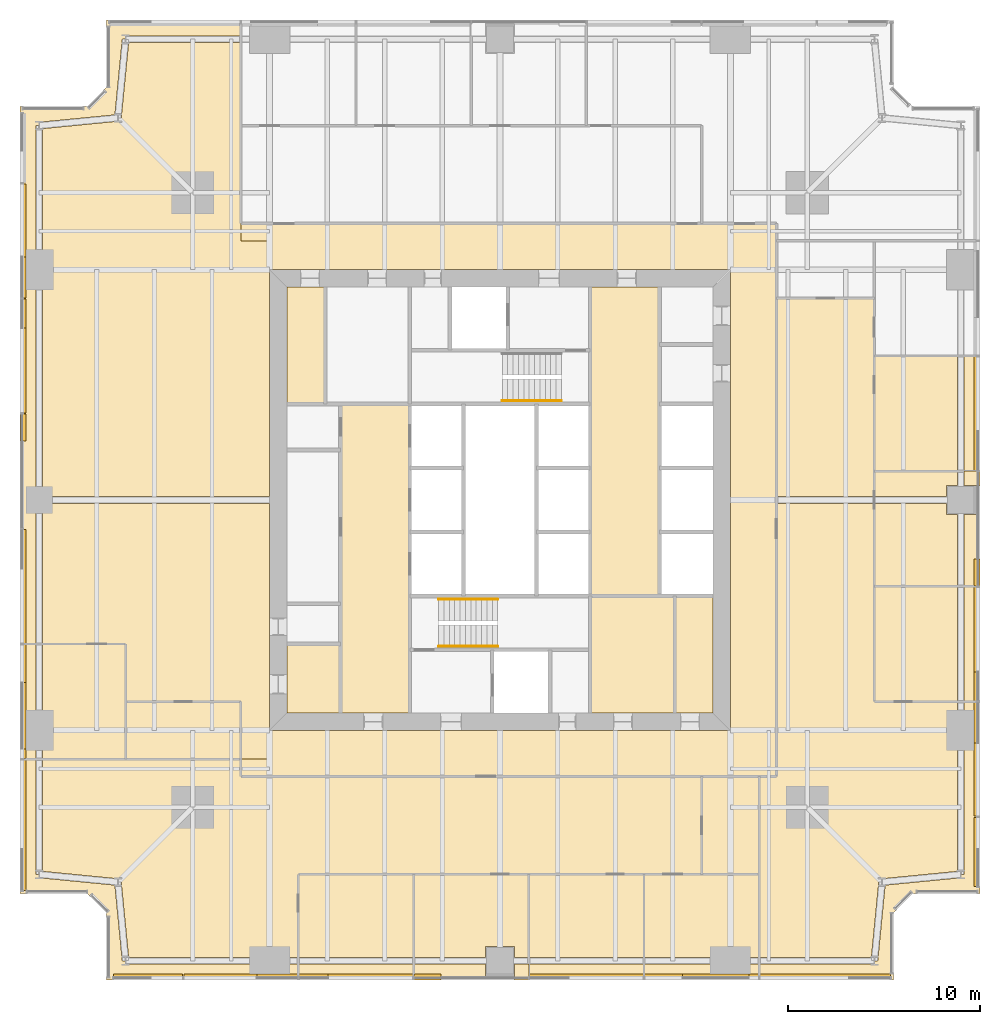
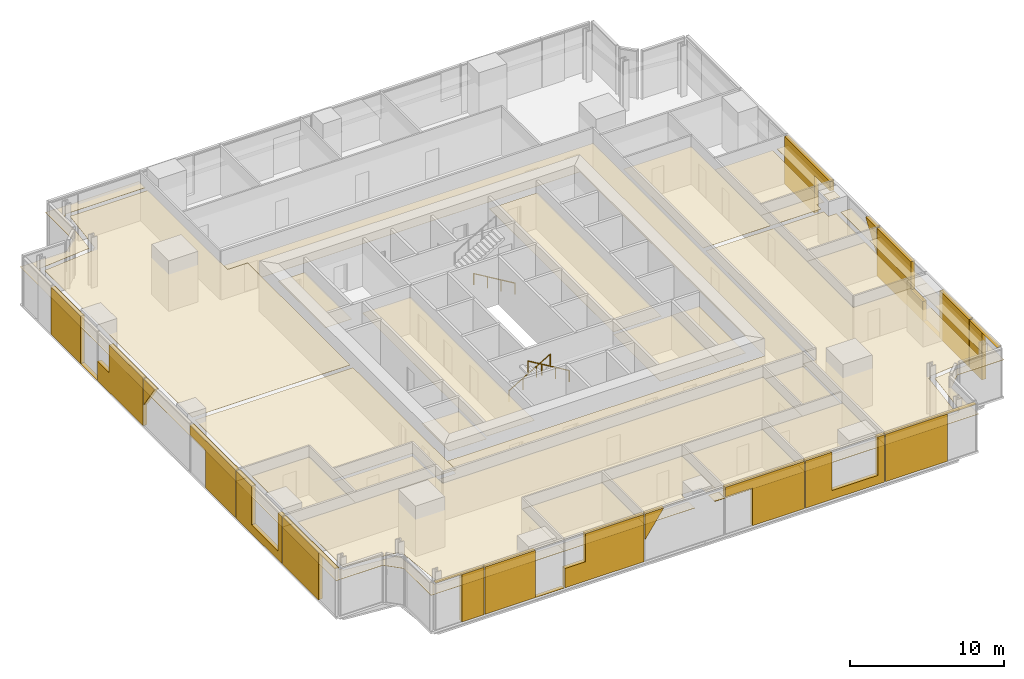
# One storey, part 12 of 13: 54 coverings, 3 railings.
"""IFC4 building model written with IfcOpenShell, lengths in metres."""

from ifc_helpers import new_model, si_unit, direction, frame, origin, origin_2d, place, context, subcontext, project, spatial, polyline, circle, outline, extrude, material, layer, layer_set, type_object, element, save


model = new_model("IFC4")

# Units and contexts
model_context = context("Model", 3, precision=1e-05, world=origin(), true_north=direction((0.0, 1.0)))
body_context = subcontext(model_context, "Body", "Model", "MODEL_VIEW")
ifc_project = project(units=[si_unit("LENGTHUNIT", "METRE"), si_unit("AREAUNIT", "SQUARE_METRE"), si_unit("VOLUMEUNIT", "CUBIC_METRE"), si_unit("PLANEANGLEUNIT", "RADIAN"), si_unit("MASSUNIT", "GRAM", prefix="KILO")], contexts=[model_context])

# Site, building, storey
site_placement = place(None, origin())
site = spatial("IfcSite", under=ifc_project, at=site_placement, CompositionType="ELEMENT")
building_placement = place(site_placement, origin())
building = spatial("IfcBuilding", under=site, at=building_placement, Name="Fenwick Lantern Interchange", CompositionType="ELEMENT")
storey_placement = place(building_placement, frame((0.0, 0.0, 102.39990234375)))
storey = spatial("IfcBuildingStorey", under=building, at=storey_placement, Name="L23", CompositionType="ELEMENT", Elevation=102.39990234375)

# Coverings
ifc_material_1 = material(Name="Mineral fibre acoustic tile on suspended grid")
ifc_layer_1 = layer(ifc_material_1, 0.02001953125)
ifc_layer_set_1 = layer_set([ifc_layer_1], Name="ACOUSTIC TILE CEILING 20")
covering_type_1 = type_object("IfcCoveringType", Name="ACOUSTIC TILE CEILING 20", PredefinedType="CEILING", material=ifc_layer_set_1)
covering_1_placement = place(storey_placement, frame((0.0, 0.0, 2.900146484375)))
element("IfcCovering", 1, at=covering_1_placement, inside=storey, type_object=covering_type_1, Name="Office suite ceiling", PredefinedType="CEILING", context=body_context, shape_type="SweptSolid", body=[
    extrude(outline(polyline([(11.5, 11.5), (1.17236328125, 11.5), (1.17236328125, 5.656494140625), (5.11669921875, 5.271484375), (5.10009765625, 5.10009765625), (5.271484375, 5.11669921875), (5.656494140625, 1.17236328125), (13.0, 1.17236328125), (14.5, 1.17236328125), (14.5, 5.5), (35.5, 5.5), (35.5, 10.60009765625), (11.5, 10.60009765625), (11.5, 11.5)])), origin(), (0.0, 0.0, 1.0), 0.02001953125),
])
covering_2_placement = place(storey_placement, frame((0.0, 0.0, 2.900146484375)))
element("IfcCovering", 2, at=covering_2_placement, inside=storey, type_object=covering_type_1, Name="Office suite ceiling", PredefinedType="CEILING", context=body_context, shape_type="SweptSolid", body=[
    extrude(outline(polyline([(0.82763671875, 11.5), (0.0, 11.5), (0.0, 4.5), (3.5, 4.5), (4.5, 3.5), (4.5, 0.0), (14.5, 0.0), (14.5, 0.82763671875), (13.0, 0.82763671875), (5.5, 0.82763671875), (5.5, 1.0), (5.328369140625, 0.983154296875), (4.942138671875, 4.942138671875), (0.983154296875, 5.328369140625), (1.0, 5.5), (0.82763671875, 5.5), (0.82763671875, 11.5)])), origin(), (0.0, 0.0, 1.0), 0.02001953125),
])
covering_3_placement = place(storey_placement, frame((0.0, 0.0, 2.900146484375)))
element("IfcCovering", 3, at=covering_3_placement, inside=storey, type_object=covering_type_1, Name="Office ceiling", PredefinedType="CEILING", context=body_context, shape_type="SweptSolid", body=[
    extrude(outline(polyline([(14.5, 5.5), (14.5, 1.17236328125), (20.5, 1.17236328125), (20.5, 5.5), (14.5, 5.5)])), origin(), (0.0, 0.0, 1.0), 0.02001953125),
])
covering_4_placement = place(storey_placement, frame((0.0, 0.0, 2.900146484375)))
element("IfcCovering", 4, at=covering_4_placement, inside=storey, type_object=covering_type_1, Name="Office ceiling", PredefinedType="CEILING", context=body_context, shape_type="SweptSolid", body=[
    extrude(outline(polyline([(20.5, 0.0), (20.5, 0.82763671875), (14.5, 0.82763671875), (14.5, 0.0), (20.5, 0.0)])), origin(), (0.0, 0.0, 1.0), 0.02001953125),
])
covering_5_placement = place(storey_placement, frame((0.0, 0.0, 2.900146484375)))
element("IfcCovering", 5, at=covering_5_placement, inside=storey, type_object=covering_type_1, Name="Office ceiling", PredefinedType="CEILING", context=body_context, shape_type="SweptSolid", body=[
    extrude(outline(polyline([(20.5, 5.5), (20.5, 1.17236328125), (24.25, 1.17236328125), (24.25, 1.75), (25.75, 1.75), (25.75, 1.17236328125), (26.5, 1.17236328125), (26.5, 5.5), (20.5, 5.5)])), origin(), (0.0, 0.0, 1.0), 0.02001953125),
])
covering_6_placement = place(storey_placement, frame((0.0, 0.0, 2.900146484375)))
element("IfcCovering", 6, at=covering_6_placement, inside=storey, type_object=covering_type_1, Name="Office ceiling", PredefinedType="CEILING", context=body_context, shape_type="SweptSolid", body=[
    extrude(outline(polyline([(20.5, 0.82763671875), (20.5, 0.0), (24.25, 0.0), (24.25, 0.82763671875), (20.5, 0.82763671875)])), origin(), (0.0, 0.0, 1.0), 0.02001953125),
])
covering_7_placement = place(storey_placement, frame((0.0, 0.0, 2.900146484375)))
element("IfcCovering", 7, at=covering_7_placement, inside=storey, type_object=covering_type_1, Name="Office ceiling", PredefinedType="CEILING", context=body_context, shape_type="SweptSolid", body=[
    extrude(outline(polyline([(26.5, 0.0), (26.5, 0.82763671875), (25.75, 0.82763671875), (25.75, 0.0), (26.5, 0.0)])), origin(), (0.0, 0.0, 1.0), 0.02001953125),
])
covering_8_placement = place(storey_placement, frame((0.0, 0.0, 2.900146484375)))
element("IfcCovering", 8, at=covering_8_placement, inside=storey, type_object=covering_type_1, Name="Office ceiling", PredefinedType="CEILING", context=body_context, shape_type="SweptSolid", body=[
    extrude(outline(polyline([(26.5, 5.5), (26.5, 1.17236328125), (32.5, 1.17236328125), (32.5, 5.5), (26.5, 5.5)])), origin(), (0.0, 0.0, 1.0), 0.02001953125),
])
covering_9_placement = place(storey_placement, frame((0.0, 0.0, 2.900146484375)))
element("IfcCovering", 9, at=covering_9_placement, inside=storey, type_object=covering_type_1, Name="Office ceiling", PredefinedType="CEILING", context=body_context, shape_type="SweptSolid", body=[
    extrude(outline(polyline([(32.5, 0.0), (32.5, 0.82763671875), (26.5, 0.82763671875), (26.5, 0.0), (32.5, 0.0)])), origin(), (0.0, 0.0, 1.0), 0.02001953125),
])
covering_10_placement = place(storey_placement, frame((0.0, 0.0, 2.900146484375)))
element("IfcCovering", 10, at=covering_10_placement, inside=storey, type_object=covering_type_1, Name="Meeting room ceiling", PredefinedType="CEILING", context=body_context, shape_type="SweptSolid", body=[
    extrude(outline(polyline([(32.5, 5.5), (32.5, 1.17236328125), (37.0, 1.17236328125), (38.5, 1.17236328125), (38.5, 5.5), (32.5, 5.5)])), origin(), (0.0, 0.0, 1.0), 0.02001953125),
])
covering_11_placement = place(storey_placement, frame((0.0, 0.0, 2.900146484375)))
element("IfcCovering", 11, at=covering_11_placement, inside=storey, type_object=covering_type_1, Name="Meeting room ceiling", PredefinedType="CEILING", context=body_context, shape_type="SweptSolid", body=[
    extrude(outline(polyline([(38.5, 0.0), (38.5, 0.82763671875), (37.0, 0.82763671875), (32.5, 0.82763671875), (32.5, 0.0), (38.5, 0.0)])), origin(), (0.0, 0.0, 1.0), 0.02001953125),
])
covering_12_placement = place(storey_placement, frame((0.0, 0.0, 2.900146484375)))
element("IfcCovering", 12, at=covering_12_placement, inside=storey, type_object=covering_type_1, Name="Office suite ceiling", PredefinedType="CEILING", context=body_context, shape_type="SweptSolid", body=[
    extrude(outline(polyline([(38.5, 10.60009765625), (38.5, 1.17236328125), (44.343505859375, 1.17236328125), (44.728515625, 5.11669921875), (44.89990234375, 5.10009765625), (44.88330078125, 5.271484375), (48.82763671875, 5.656494140625), (48.82763671875, 13.0), (48.82763671875, 14.5), (44.5, 14.5), (44.5, 24.824951171875), (39.39990234375, 24.824951171875), (39.39990234375, 10.60009765625), (38.5, 10.60009765625)])), origin(), (0.0, 0.0, 1.0), 0.02001953125),
])
covering_13_placement = place(storey_placement, frame((0.0, 0.0, 2.900146484375)))
element("IfcCovering", 13, at=covering_13_placement, inside=storey, type_object=covering_type_1, Name="Office suite ceiling", PredefinedType="CEILING", context=body_context, shape_type="SweptSolid", body=[
    extrude(outline(polyline([(39.39990234375, 35.5), (39.39990234375, 25.175048828125), (44.5, 25.175048828125), (44.5, 35.5), (39.39990234375, 35.5)])), origin(), (0.0, 0.0, 1.0), 0.02001953125),
])
covering_14_placement = place(storey_placement, frame((0.0, 0.0, 2.900146484375)))
element("IfcCovering", 14, at=covering_14_placement, inside=storey, type_object=covering_type_1, Name="Office suite ceiling", PredefinedType="CEILING", context=body_context, shape_type="SweptSolid", body=[
    extrude(outline(polyline([(38.5, 0.82763671875), (38.5, 0.0), (45.5, 0.0), (45.5, 3.5), (46.5, 4.5), (50.0, 4.5), (50.0, 14.5), (49.17236328125, 14.5), (49.17236328125, 13.0), (49.17236328125, 5.5), (49.0, 5.5), (49.016845703125, 5.328369140625), (45.057861328125, 4.942138671875), (44.671630859375, 0.983154296875), (44.5, 1.0), (44.5, 0.82763671875), (38.5, 0.82763671875)])), origin(), (0.0, 0.0, 1.0), 0.02001953125),
])
covering_15_placement = place(storey_placement, frame((0.0, 0.0, 2.900146484375)))
element("IfcCovering", 15, at=covering_15_placement, inside=storey, type_object=covering_type_1, Name="Office ceiling", PredefinedType="CEILING", context=body_context, shape_type="SweptSolid", body=[
    extrude(outline(polyline([(44.5, 14.5), (48.82763671875, 14.5), (48.82763671875, 20.5), (44.5, 20.5), (44.5, 14.5)])), origin(), (0.0, 0.0, 1.0), 0.02001953125),
])
covering_16_placement = place(storey_placement, frame((0.0, 0.0, 2.900146484375)))
element("IfcCovering", 16, at=covering_16_placement, inside=storey, type_object=covering_type_1, Name="Office ceiling", PredefinedType="CEILING", context=body_context, shape_type="SweptSolid", body=[
    extrude(outline(polyline([(50.0, 20.5), (49.17236328125, 20.5), (49.17236328125, 14.5), (50.0, 14.5), (50.0, 20.5)])), origin(), (0.0, 0.0, 1.0), 0.02001953125),
])
covering_17_placement = place(storey_placement, frame((0.0, 0.0, 2.900146484375)))
element("IfcCovering", 17, at=covering_17_placement, inside=storey, type_object=covering_type_1, Name="Office ceiling", PredefinedType="CEILING", context=body_context, shape_type="SweptSolid", body=[
    extrude(outline(polyline([(44.5, 20.5), (48.82763671875, 20.5), (48.82763671875, 24.25), (48.25, 24.25), (48.25, 24.824951171875), (44.5, 24.824951171875), (44.5, 20.5)])), origin(), (0.0, 0.0, 1.0), 0.02001953125),
])
covering_18_placement = place(storey_placement, frame((0.0, 0.0, 2.900146484375)))
element("IfcCovering", 18, at=covering_18_placement, inside=storey, type_object=covering_type_1, Name="Office ceiling", PredefinedType="CEILING", context=body_context, shape_type="SweptSolid", body=[
    extrude(outline(polyline([(44.5, 26.5), (44.5, 25.175048828125), (48.25, 25.175048828125), (48.25, 25.75), (48.82763671875, 25.75), (48.82763671875, 26.5), (44.5, 26.5)])), origin(), (0.0, 0.0, 1.0), 0.02001953125),
])
covering_19_placement = place(storey_placement, frame((0.0, 0.0, 2.900146484375)))
element("IfcCovering", 19, at=covering_19_placement, inside=storey, type_object=covering_type_1, Name="Office ceiling", PredefinedType="CEILING", context=body_context, shape_type="SweptSolid", body=[
    extrude(outline(polyline([(49.17236328125, 20.5), (50.0, 20.5), (50.0, 24.25), (49.17236328125, 24.25), (49.17236328125, 20.5)])), origin(), (0.0, 0.0, 1.0), 0.02001953125),
])
covering_20_placement = place(storey_placement, frame((0.0, 0.0, 2.900146484375)))
element("IfcCovering", 20, at=covering_20_placement, inside=storey, type_object=covering_type_1, Name="Office ceiling", PredefinedType="CEILING", context=body_context, shape_type="SweptSolid", body=[
    extrude(outline(polyline([(50.0, 26.5), (49.17236328125, 26.5), (49.17236328125, 25.75), (50.0, 25.75), (50.0, 26.5)])), origin(), (0.0, 0.0, 1.0), 0.02001953125),
])
covering_21_placement = place(storey_placement, frame((0.0, 0.0, 2.900146484375)))
element("IfcCovering", 21, at=covering_21_placement, inside=storey, type_object=covering_type_1, Name="Office ceiling", PredefinedType="CEILING", context=body_context, shape_type="SweptSolid", body=[
    extrude(outline(polyline([(44.5, 26.5), (48.82763671875, 26.5), (48.82763671875, 32.5), (44.5, 32.5), (44.5, 26.5)])), origin(), (0.0, 0.0, 1.0), 0.02001953125),
])
covering_22_placement = place(storey_placement, frame((0.0, 0.0, 2.900146484375)))
element("IfcCovering", 22, at=covering_22_placement, inside=storey, type_object=covering_type_1, Name="Office ceiling", PredefinedType="CEILING", context=body_context, shape_type="SweptSolid", body=[
    extrude(outline(polyline([(50.0, 32.5), (49.17236328125, 32.5), (49.17236328125, 26.5), (50.0, 26.5), (50.0, 32.5)])), origin(), (0.0, 0.0, 1.0), 0.02001953125),
])
covering_23_placement = place(storey_placement, frame((0.0, 0.0, 2.900146484375)))
element("IfcCovering", 23, at=covering_23_placement, inside=storey, type_object=covering_type_1, Name="Open office ceiling", PredefinedType="CEILING", context=body_context, shape_type="SweptSolid", body=[
    extrude(outline(polyline([(11.5, 38.5), (11.5, 48.82763671875), (5.656494140625, 48.82763671875), (5.271484375, 44.88330078125), (5.10009765625, 44.89990234375), (5.11669921875, 44.728515625), (1.17236328125, 44.343505859375), (1.17236328125, 37.0), (1.17236328125, 25.175048828125), (13.0, 25.175048828125), (13.0, 38.5), (11.5, 38.5)])), origin(), (0.0, 0.0, 1.0), 0.02001953125),
])
covering_24_placement = place(storey_placement, frame((0.0, 0.0, 2.900146484375)))
element("IfcCovering", 24, at=covering_24_placement, inside=storey, type_object=covering_type_1, Name="Open office ceiling", PredefinedType="CEILING", context=body_context, shape_type="SweptSolid", body=[
    extrude(outline(polyline([(13.0, 11.5), (13.0, 24.824951171875), (1.17236328125, 24.824951171875), (1.17236328125, 17.5), (5.5, 17.5), (5.5, 14.5), (11.5, 14.5), (11.5, 11.5), (13.0, 11.5)])), origin(), (0.0, 0.0, 1.0), 0.02001953125),
])
covering_25_placement = place(storey_placement, frame((0.0, 0.0, 2.900146484375)))
element("IfcCovering", 25, at=covering_25_placement, inside=storey, type_object=covering_type_1, Name="Open office ceiling", PredefinedType="CEILING", context=body_context, shape_type="SweptSolid", body=[
    extrude(outline(polyline([(3.5, 45.5), (0.0, 45.5), (0.0, 17.5), (0.82763671875, 17.5), (0.82763671875, 25.0), (0.82763671875, 37.0), (0.82763671875, 44.5), (1.0, 44.5), (0.983154296875, 44.671630859375), (4.942138671875, 45.057861328125), (5.328369140625, 49.016845703125), (5.5, 49.0), (5.5, 49.17236328125), (11.5, 49.17236328125), (11.5, 50.0), (4.5, 50.0), (4.5, 46.5), (3.5, 45.5)])), origin(), (0.0, 0.0, 1.0), 0.02001953125),
])
covering_26_placement = place(storey_placement, frame((0.0, 0.0, 2.900146484375)))
element("IfcCovering", 26, at=covering_26_placement, inside=storey, type_object=covering_type_1, Name="Meeting room ceiling", PredefinedType="CEILING", context=body_context, shape_type="SweptSolid", body=[
    extrude(outline(polyline([(5.5, 17.5), (1.17236328125, 17.5), (1.17236328125, 13.0), (1.17236328125, 11.5), (5.5, 11.5), (5.5, 17.5)])), origin(), (0.0, 0.0, 1.0), 0.02001953125),
])
covering_27_placement = place(storey_placement, frame((0.0, 0.0, 2.900146484375)))
element("IfcCovering", 27, at=covering_27_placement, inside=storey, type_object=covering_type_1, Name="Meeting room ceiling", PredefinedType="CEILING", context=body_context, shape_type="SweptSolid", body=[
    extrude(outline(polyline([(0.0, 11.5), (0.82763671875, 11.5), (0.82763671875, 13.0), (0.82763671875, 17.5), (0.0, 17.5), (0.0, 11.5)])), origin(), (0.0, 0.0, 1.0), 0.02001953125),
])
ifc_material_2 = material(Name="Granite cladding, warm grey flamed finish, on aluminium carrier frame", Category="masonry")
ifc_layer_2 = layer(ifc_material_2, 0.300048828125)
ifc_layer_set_2 = layer_set([ifc_layer_2], Name="BRACE CASING PANEL 300")
covering_type_2 = type_object("IfcCoveringType", Name="BRACE CASING PANEL 300", PredefinedType="CLADDING", material=ifc_layer_set_2)
covering_28_placement = place(storey_placement, frame((4.60009765625, 0.10009765625, 0.0), z_axis=(0.0, 0.0, 1.0), x_axis=(1.0, 0.0, 0.0)))
element("IfcCovering", 28, at=covering_28_placement, inside=storey, type_object=covering_type_2, Name="Brace casing 01 bay 00a", PredefinedType="CLADDING", context=body_context, shape_type="SweptSolid", body=[
    extrude(outline(polyline([(2.219970703125, 0.0), (3.867431640625, 0.0), (3.867431640625, 3.75), (0.264892578125, 3.75), (0.264892578125, 3.748291015625), (2.219970703125, 3.748291015625), (2.219970703125, 0.0)])), frame((0.0, 0.2001953125, 0.0), z_axis=(0.0, -1.0, 0.0), x_axis=(1.0, 0.0, 0.0)), (0.0, 0.0, 1.0), 0.300048828125),
])
covering_29_placement = place(storey_placement, frame((4.60009765625, 0.10009765625, 0.0), z_axis=(0.0, 0.0, 1.0), x_axis=(1.0, 0.0, 0.0)))
element("IfcCovering", 29, at=covering_29_placement, inside=storey, type_object=covering_type_2, Name="Brace casing 01 bay 01a", PredefinedType="CLADDING", context=body_context, shape_type="SweptSolid", body=[
    extrude(outline(polyline([(3.9326171875, 0.0), (9.867431640625, 0.0), (9.867431640625, 0.007080078125), (7.7412109375, 0.007080078125), (7.7412109375, 3.75), (3.9326171875, 3.75), (3.9326171875, 0.0)])), frame((0.0, 0.2001953125, 0.0), z_axis=(0.0, -1.0, 0.0), x_axis=(1.0, 0.0, 0.0)), (0.0, 0.0, 1.0), 0.300048828125),
])
covering_30_placement = place(storey_placement, frame((4.60009765625, 0.10009765625, 0.0), z_axis=(0.0, 0.0, 1.0), x_axis=(1.0, 0.0, 0.0)))
element("IfcCovering", 30, at=covering_30_placement, inside=storey, type_object=covering_type_2, Name="Brace casing 01 bay 02a", PredefinedType="CLADDING", context=body_context, shape_type="SweptSolid", body=[
    extrude(outline(polyline([(9.9326171875, 0.0), (15.867431640625, 0.0), (15.867431640625, 3.75), (11.452392578125, 3.75), (11.452392578125, 1.5341796875), (9.9326171875, 1.5341796875), (9.9326171875, 0.0)])), frame((0.0, 0.2001953125, 0.0), z_axis=(0.0, -1.0, 0.0), x_axis=(1.0, 0.0, 0.0)), (0.0, 0.0, 1.0), 0.300048828125),
])
covering_31_placement = place(storey_placement, frame((4.60009765625, 0.10009765625, 1.70068359375), z_axis=(0.0, 0.0, 1.0), x_axis=(1.0, 0.0, 0.0)))
element("IfcCovering", 31, at=covering_31_placement, inside=storey, type_object=covering_type_2, Name="Brace casing 01 bay 03a", PredefinedType="CLADDING", context=body_context, shape_type="SweptSolid", body=[
    extrude(outline(polyline([(15.9326171875, 0.0), (17.338623046875, 2.04931640625), (15.9326171875, 2.04931640625), (15.9326171875, 0.0)])), frame((0.0, 0.2001953125, 0.0), z_axis=(0.0, -1.0, 0.0), x_axis=(1.0, 0.0, 0.0)), (0.0, 0.0, 1.0), 0.300048828125),
])
covering_32_placement = place(storey_placement, frame((4.60009765625, 0.10009765625, 0.0), z_axis=(0.0, 0.0, 1.0), x_axis=(1.0, 0.0, 0.0)))
element("IfcCovering", 32, at=covering_32_placement, inside=storey, type_object=covering_type_2, Name="Brace casing 01 bay 04a", PredefinedType="CLADDING", context=body_context, shape_type="SweptSolid", body=[
    extrude(outline(polyline([(23.982421875, 0.0), (27.867431640625, 0.0), (27.867431640625, 3.75), (21.9326171875, 3.75), (21.9326171875, 2.990478515625), (23.982421875, 2.990478515625), (23.982421875, 0.0)])), frame((0.0, 0.2001953125, 0.0), z_axis=(0.0, -1.0, 0.0), x_axis=(1.0, 0.0, 0.0)), (0.0, 0.0, 1.0), 0.300048828125),
])
covering_33_placement = place(storey_placement, frame((4.60009765625, 0.10009765625, 0.0), z_axis=(0.0, 0.0, 1.0), x_axis=(1.0, 0.0, 0.0)))
element("IfcCovering", 33, at=covering_33_placement, inside=storey, type_object=covering_type_2, Name="Brace casing 01 bay 05a", PredefinedType="CLADDING", context=body_context, shape_type="SweptSolid", body=[
    extrude(outline(polyline([(27.9326171875, 0.0), (33.867431640625, 0.0), (33.867431640625, 3.75), (33.357421875, 3.75), (33.357421875, 0.70361328125), (29.91748046875, 0.70361328125), (29.91748046875, 3.75), (27.9326171875, 3.75), (27.9326171875, 0.0)])), frame((0.0, 0.2001953125, 0.0), z_axis=(0.0, -1.0, 0.0), x_axis=(1.0, 0.0, 0.0)), (0.0, 0.0, 1.0), 0.300048828125),
])
covering_34_placement = place(storey_placement, frame((4.60009765625, 0.10009765625, 0.0), z_axis=(0.0, 0.0, 1.0), x_axis=(1.0, 0.0, 0.0)))
element("IfcCovering", 34, at=covering_34_placement, inside=storey, type_object=covering_type_2, Name="Brace casing 01 bay 06a", PredefinedType="CLADDING", context=body_context, shape_type="SweptSolid", body=[
    extrude(outline(polyline([(33.9326171875, 0.0), (38.577880859375, 0.0), (38.577880859375, 3.7431640625), (40.735107421875, 3.7431640625), (40.735107421875, 3.75), (33.9326171875, 3.75), (33.9326171875, 0.0)])), frame((0.0, 0.2001953125, 0.0), z_axis=(0.0, -1.0, 0.0), x_axis=(1.0, 0.0, 0.0)), (0.0, 0.0, 1.0), 0.300048828125),
])
covering_35_placement = place(storey_placement, frame((49.89990234375, 4.60009765625, 0.0), z_axis=(0.0, 0.0, 1.0), x_axis=(0.0, 1.0, 0.0)))
element("IfcCovering", 35, at=covering_35_placement, inside=storey, type_object=covering_type_2, Name="Brace casing 05 bay 00a", PredefinedType="CLADDING", context=body_context, shape_type="SweptSolid", body=[
    extrude(outline(polyline([(2.219970703125, 0.0), (3.867431640625, 0.0), (3.867431640625, 3.75), (0.264892578125, 3.75), (0.264892578125, 3.748291015625), (2.219970703125, 3.748291015625), (2.219970703125, 0.0)])), frame((0.0, 0.2001953125, 0.0), z_axis=(0.0, -1.0, 0.0), x_axis=(1.0, 0.0, 0.0)), (0.0, 0.0, 1.0), 0.300048828125),
])
covering_36_placement = place(storey_placement, frame((49.89990234375, 4.60009765625, 0.0), z_axis=(0.0, 0.0, 1.0), x_axis=(0.0, 1.0, 0.0)))
element("IfcCovering", 36, at=covering_36_placement, inside=storey, type_object=covering_type_2, Name="Brace casing 05 bay 01a", PredefinedType="CLADDING", context=body_context, shape_type="SweptSolid", body=[
    extrude(outline(polyline([(3.9326171875, 0.0), (9.867431640625, 0.0), (9.867431640625, 0.007080078125), (7.7412109375, 0.007080078125), (7.7412109375, 3.75), (3.9326171875, 3.75), (3.9326171875, 0.0)])), frame((0.0, 0.2001953125, 0.0), z_axis=(0.0, -1.0, 0.0), x_axis=(1.0, 0.0, 0.0)), (0.0, 0.0, 1.0), 0.300048828125),
])
covering_37_placement = place(storey_placement, frame((49.89990234375, 4.60009765625, 0.0), z_axis=(0.0, 0.0, 1.0), x_axis=(0.0, 1.0, 0.0)))
element("IfcCovering", 37, at=covering_37_placement, inside=storey, type_object=covering_type_2, Name="Brace casing 05 bay 02a", PredefinedType="CLADDING", context=body_context, shape_type="SweptSolid", body=[
    extrude(outline(polyline([(9.9326171875, 0.0), (15.867431640625, 0.0), (15.867431640625, 3.75), (11.452392578125, 3.75), (11.452392578125, 1.5341796875), (9.9326171875, 1.5341796875), (9.9326171875, 0.0)])), frame((0.0, 0.2001953125, 0.0), z_axis=(0.0, -1.0, 0.0), x_axis=(1.0, 0.0, 0.0)), (0.0, 0.0, 1.0), 0.300048828125),
])
covering_38_placement = place(storey_placement, frame((49.89990234375, 4.60009765625, 1.70068359375), z_axis=(0.0, 0.0, 1.0), x_axis=(0.0, 1.0, 0.0)))
element("IfcCovering", 38, at=covering_38_placement, inside=storey, type_object=covering_type_2, Name="Brace casing 05 bay 03a", PredefinedType="CLADDING", context=body_context, shape_type="SweptSolid", body=[
    extrude(outline(polyline([(15.9326171875, 0.0), (17.338623046875, 2.04931640625), (15.9326171875, 2.04931640625), (15.9326171875, 0.0)])), frame((0.0, 0.2001953125, 0.0), z_axis=(0.0, -1.0, 0.0), x_axis=(1.0, 0.0, 0.0)), (0.0, 0.0, 1.0), 0.300048828125),
])
covering_39_placement = place(storey_placement, frame((49.89990234375, 4.60009765625, 0.0), z_axis=(0.0, 0.0, 1.0), x_axis=(0.0, 1.0, 0.0)))
element("IfcCovering", 39, at=covering_39_placement, inside=storey, type_object=covering_type_2, Name="Brace casing 05 bay 04a", PredefinedType="CLADDING", context=body_context, shape_type="SweptSolid", body=[
    extrude(outline(polyline([(23.982421875, 0.0), (27.867431640625, 0.0), (27.867431640625, 3.75), (21.9326171875, 3.75), (21.9326171875, 2.990478515625), (23.982421875, 2.990478515625), (23.982421875, 0.0)])), frame((0.0, 0.2001953125, 0.0), z_axis=(0.0, -1.0, 0.0), x_axis=(1.0, 0.0, 0.0)), (0.0, 0.0, 1.0), 0.300048828125),
])
covering_40_placement = place(storey_placement, frame((0.10009765625, 45.39990234375, 0.0), z_axis=(0.0, 0.0, 1.0), x_axis=(0.0, -1.0, 0.0)))
element("IfcCovering", 40, at=covering_40_placement, inside=storey, type_object=covering_type_2, Name="Brace casing 13 bay 01a", PredefinedType="CLADDING", context=body_context, shape_type="SweptSolid", body=[
    extrude(outline(polyline([(3.9326171875, 0.0), (9.867431640625, 0.0), (9.867431640625, 0.007080078125), (7.7412109375, 0.007080078125), (7.7412109375, 3.75), (3.9326171875, 3.75), (3.9326171875, 0.0)])), frame((0.0, 0.2001953125, 0.0), z_axis=(0.0, -1.0, 0.0), x_axis=(1.0, 0.0, 0.0)), (0.0, 0.0, 1.0), 0.300048828125),
])
covering_41_placement = place(storey_placement, frame((0.10009765625, 45.39990234375, 0.0), z_axis=(0.0, 0.0, 1.0), x_axis=(0.0, -1.0, 0.0)))
element("IfcCovering", 41, at=covering_41_placement, inside=storey, type_object=covering_type_2, Name="Brace casing 13 bay 02a", PredefinedType="CLADDING", context=body_context, shape_type="SweptSolid", body=[
    extrude(outline(polyline([(9.9326171875, 0.0), (15.867431640625, 0.0), (15.867431640625, 3.75), (11.452392578125, 3.75), (11.452392578125, 1.5341796875), (9.9326171875, 1.5341796875), (9.9326171875, 0.0)])), frame((0.0, 0.2001953125, 0.0), z_axis=(0.0, -1.0, 0.0), x_axis=(1.0, 0.0, 0.0)), (0.0, 0.0, 1.0), 0.300048828125),
])
covering_42_placement = place(storey_placement, frame((0.10009765625, 45.39990234375, 1.70068359375), z_axis=(0.0, 0.0, 1.0), x_axis=(0.0, -1.0, 0.0)))
element("IfcCovering", 42, at=covering_42_placement, inside=storey, type_object=covering_type_2, Name="Brace casing 13 bay 03a", PredefinedType="CLADDING", context=body_context, shape_type="SweptSolid", body=[
    extrude(outline(polyline([(15.9326171875, 0.0), (17.338623046875, 2.04931640625), (15.9326171875, 2.04931640625), (15.9326171875, 0.0)])), frame((0.0, 0.2001953125, 0.0), z_axis=(0.0, -1.0, 0.0), x_axis=(1.0, 0.0, 0.0)), (0.0, 0.0, 1.0), 0.300048828125),
])
covering_43_placement = place(storey_placement, frame((0.10009765625, 45.39990234375, 0.0), z_axis=(0.0, 0.0, 1.0), x_axis=(0.0, -1.0, 0.0)))
element("IfcCovering", 43, at=covering_43_placement, inside=storey, type_object=covering_type_2, Name="Brace casing 13 bay 04a", PredefinedType="CLADDING", context=body_context, shape_type="SweptSolid", body=[
    extrude(outline(polyline([(23.982421875, 0.0), (27.867431640625, 0.0), (27.867431640625, 3.75), (21.9326171875, 3.75), (21.9326171875, 2.990478515625), (23.982421875, 2.990478515625), (23.982421875, 0.0)])), frame((0.0, 0.2001953125, 0.0), z_axis=(0.0, -1.0, 0.0), x_axis=(1.0, 0.0, 0.0)), (0.0, 0.0, 1.0), 0.300048828125),
])
covering_44_placement = place(storey_placement, frame((0.10009765625, 45.39990234375, 0.0), z_axis=(0.0, 0.0, 1.0), x_axis=(0.0, -1.0, 0.0)))
element("IfcCovering", 44, at=covering_44_placement, inside=storey, type_object=covering_type_2, Name="Brace casing 13 bay 05a", PredefinedType="CLADDING", context=body_context, shape_type="SweptSolid", body=[
    extrude(outline(polyline([(27.9326171875, 0.0), (33.867431640625, 0.0), (33.867431640625, 3.75), (33.357421875, 3.75), (33.357421875, 0.70361328125), (29.91748046875, 0.70361328125), (29.91748046875, 3.75), (27.9326171875, 3.75), (27.9326171875, 0.0)])), frame((0.0, 0.2001953125, 0.0), z_axis=(0.0, -1.0, 0.0), x_axis=(1.0, 0.0, 0.0)), (0.0, 0.0, 1.0), 0.300048828125),
])
covering_45_placement = place(storey_placement, frame((0.10009765625, 45.39990234375, 0.0), z_axis=(0.0, 0.0, 1.0), x_axis=(0.0, -1.0, 0.0)))
element("IfcCovering", 45, at=covering_45_placement, inside=storey, type_object=covering_type_2, Name="Brace casing 13 bay 06a", PredefinedType="CLADDING", context=body_context, shape_type="SweptSolid", body=[
    extrude(outline(polyline([(33.9326171875, 0.0), (38.577880859375, 0.0), (38.577880859375, 3.7431640625), (40.735107421875, 3.7431640625), (40.735107421875, 3.75), (33.9326171875, 3.75), (33.9326171875, 0.0)])), frame((0.0, 0.2001953125, 0.0), z_axis=(0.0, -1.0, 0.0), x_axis=(1.0, 0.0, 0.0)), (0.0, 0.0, 1.0), 0.300048828125),
])

# Railings
ifc_material_3 = material(Name="Stainless steel handrail", Category="steel")
railing_type = type_object("IfcRailingType", Name="HANDRAIL 900", PredefinedType="HANDRAIL", material=ifc_material_3)
railing_placement = place(storey_placement, frame((21.800048828125, 19.825927734375, 0.166748046875)))
element("IfcRailing", 46, at=railing_placement, inside=storey, type_object=railing_type, Name="L23/STAIR/ST1/HR1", PredefinedType="HANDRAIL", context=body_context, shape_type="SweptSolid", body=[
    extrude(circle(Radius=0.02392578125, at=origin_2d()), frame((0.0, 0.0, 0.8759765625), z_axis=(0.859290745958, 0.0, 0.51148745235), x_axis=(0.0, 1.0, 0.0)), (0.0, 0.0, 1.0), 3.584228515625),
    extrude(circle(Radius=0.02099609375, at=origin_2d()), origin(), (0.0, 0.0, 1.0), 0.851806640625),
    extrude(circle(Radius=0.02099609375, at=origin_2d()), frame((1.026611328125, 0.0, 0.611083984375)), (0.0, 0.0, 1.0), 0.851806640625),
    extrude(circle(Radius=0.02099609375, at=origin_2d()), frame((2.05322265625, 0.0, 1.22216796875)), (0.0, 0.0, 1.0), 0.851806640625),
    extrude(circle(Radius=0.02099609375, at=origin_2d()), frame((3.079833984375, 0.0, 1.833251953125)), (0.0, 0.0, 1.0), 0.851806640625),
])
for number, where, name in (
    (47, (24.8798828125, 17.3740234375, 2.166748046875), "L23/STAIR/ST1/HR2"),
    (48, (28.199951171875, 30.174072265625, 0.166748046875), "L23/STAIR/ST2/HR1"),
):
    element("IfcRailing", number, at=place(storey_placement, frame(where)), inside=storey, type_object=railing_type, Name=name, PredefinedType="HANDRAIL", context=body_context, shape_type="SweptSolid", body=[
        extrude(circle(Radius=0.02392578125, at=origin_2d()), frame((0.0, 0.0, 0.8759765625), z_axis=(-0.859290745958, 0.0, 0.51148745235), x_axis=(0.0, -1.0, 0.0)), (0.0, 0.0, 1.0), 3.584228515625),
        extrude(circle(Radius=0.02099609375, at=origin_2d()), origin(), (0.0, 0.0, 1.0), 0.851806640625),
        extrude(circle(Radius=0.02099609375, at=origin_2d()), frame((-1.026611328125, 0.0, 0.611083984375)), (0.0, 0.0, 1.0), 0.851806640625),
        extrude(circle(Radius=0.02099609375, at=origin_2d()), frame((-2.05322265625, 0.0, 1.22216796875)), (0.0, 0.0, 1.0), 0.851806640625),
        extrude(circle(Radius=0.02099609375, at=origin_2d()), frame((-3.079833984375, 0.0, 1.833251953125)), (0.0, 0.0, 1.0), 0.851806640625),
    ])

# Coverings
ifc_material_4 = material(Name="Moisture resistant gypsum board on suspended frame, painted")
ifc_layer_3 = layer(ifc_material_4, 0.014892578125)
ifc_layer_set_3 = layer_set([ifc_layer_3], Name="MOISTURE RESISTANT CEILING 15")
covering_type_3 = type_object("IfcCoveringType", Name="MOISTURE RESISTANT CEILING 15", PredefinedType="CEILING", material=ifc_layer_set_3)
covering_46_placement = place(storey_placement, frame((0.0, 0.0, 2.60009765625)))
element("IfcCovering", 49, at=covering_46_placement, inside=storey, type_object=covering_type_3, Name="Women's WC ceiling", PredefinedType="CEILING", context=body_context, shape_type="SweptSolid", body=[
    extrude(outline(polyline([(29.699951171875, 13.89990234375), (34.10009765625, 13.89990234375), (34.10009765625, 20.0), (29.699951171875, 20.0), (29.699951171875, 13.89990234375)])), origin(), (0.0, 0.0, 1.0), 0.014892578125),
])
covering_47_placement = place(storey_placement, frame((0.0, 0.0, 2.60009765625)))
element("IfcCovering", 50, at=covering_47_placement, inside=storey, type_object=covering_type_3, Name="Men's WC ceiling", PredefinedType="CEILING", context=body_context, shape_type="SweptSolid", body=[
    extrude(outline(polyline([(34.10009765625, 13.89990234375), (36.10009765625, 13.89990234375), (36.10009765625, 20.0), (34.10009765625, 20.0), (34.10009765625, 13.89990234375)])), origin(), (0.0, 0.0, 1.0), 0.014892578125),
])
covering_48_placement = place(storey_placement, frame((0.0, 0.0, 2.60009765625)))
element("IfcCovering", 51, at=covering_48_placement, inside=storey, type_object=covering_type_3, Name="Accessible WC and shower ceiling", PredefinedType="CEILING", context=body_context, shape_type="SweptSolid", body=[
    extrude(outline(polyline([(13.89990234375, 13.89990234375), (16.699951171875, 13.89990234375), (16.699951171875, 17.5), (13.89990234375, 17.5), (13.89990234375, 13.89990234375)])), origin(), (0.0, 0.0, 1.0), 0.014892578125),
])
covering_49_placement = place(storey_placement, frame((0.0, 0.0, 2.60009765625)))
element("IfcCovering", 52, at=covering_49_placement, inside=storey, type_object=covering_type_3, Name="Men's WC ceiling", PredefinedType="CEILING", context=body_context, shape_type="SweptSolid", body=[
    extrude(outline(polyline([(15.89990234375, 36.10009765625), (13.89990234375, 36.10009765625), (13.89990234375, 30.0), (15.89990234375, 30.0), (15.89990234375, 36.10009765625)])), origin(), (0.0, 0.0, 1.0), 0.014892578125),
])
covering_50_placement = place(storey_placement, frame((0.0, 0.0, 2.7001953125)))
element("IfcCovering", 53, at=covering_50_placement, inside=storey, type_object=covering_type_3, Name="Pantry ceiling", PredefinedType="CEILING", context=body_context, shape_type="SweptSolid", body=[
    extrude(outline(polyline([(35.5, 5.5), (38.5, 5.5), (38.5, 10.60009765625), (35.5, 10.60009765625), (35.5, 5.5)])), origin(), (0.0, 0.0, 1.0), 0.014892578125),
])
covering_51_placement = place(storey_placement, frame((0.0, 0.0, 2.7001953125)))
element("IfcCovering", 54, at=covering_51_placement, inside=storey, type_object=covering_type_3, Name="Pantry ceiling", PredefinedType="CEILING", context=body_context, shape_type="SweptSolid", body=[
    extrude(outline(polyline([(5.5, 14.5), (5.5, 11.5), (11.5, 11.5), (11.5, 14.5), (5.5, 14.5)])), origin(), (0.0, 0.0, 1.0), 0.014892578125),
])
ifc_material_5 = material(Name="Gypsum plasterboard on suspended frame, painted")
ifc_layer_4 = layer(ifc_material_5, 0.014892578125)
ifc_layer_set_4 = layer_set([ifc_layer_4], Name="PLASTERBOARD CEILING 15")
covering_type_4 = type_object("IfcCoveringType", Name="PLASTERBOARD CEILING 15", PredefinedType="CEILING", material=ifc_layer_set_4)
covering_52_placement = place(storey_placement, frame((0.0, 0.0, 2.800048828125)))
element("IfcCovering", 55, at=covering_52_placement, inside=storey, type_object=covering_type_4, Name="Lift lobby ceiling", PredefinedType="CEILING", context=body_context, shape_type="SweptSolid", body=[
    extrude(outline(polyline([(16.699951171875, 13.89990234375), (20.300048828125, 13.89990234375), (20.300048828125, 30.0), (16.699951171875, 30.0), (16.699951171875, 13.89990234375)])), origin(), (0.0, 0.0, 1.0), 0.01513671875),
])
covering_53_placement = place(storey_placement, frame((0.0, 0.0, 2.800048828125)))
element("IfcCovering", 56, at=covering_53_placement, inside=storey, type_object=covering_type_4, Name="Lift lobby ceiling", PredefinedType="CEILING", context=body_context, shape_type="SweptSolid", body=[
    extrude(outline(polyline([(33.300048828125, 36.10009765625), (29.699951171875, 36.10009765625), (29.699951171875, 20.0), (33.300048828125, 20.0), (33.300048828125, 36.10009765625)])), origin(), (0.0, 0.0, 1.0), 0.01513671875),
])
covering_54_placement = place(storey_placement, frame((0.0, 0.0, 2.60009765625)))
element("IfcCovering", 57, at=covering_54_placement, inside=storey, type_object=covering_type_4, Name="Corridor ceiling", PredefinedType="CEILING", context=body_context, shape_type="SweptSolid", body=[
    extrude(outline(polyline([(11.5, 11.5), (11.5, 10.60009765625), (39.39990234375, 10.60009765625), (39.39990234375, 39.39990234375), (11.5, 39.39990234375), (11.5, 38.5), (13.0, 38.5), (13.0, 37.0), (37.0, 37.0), (37.0, 13.0), (13.0, 13.0), (13.0, 11.5), (11.5, 11.5)])), origin(), (0.0, 0.0, 1.0), 0.014892578125),
])

save(model, "model.ifc")
